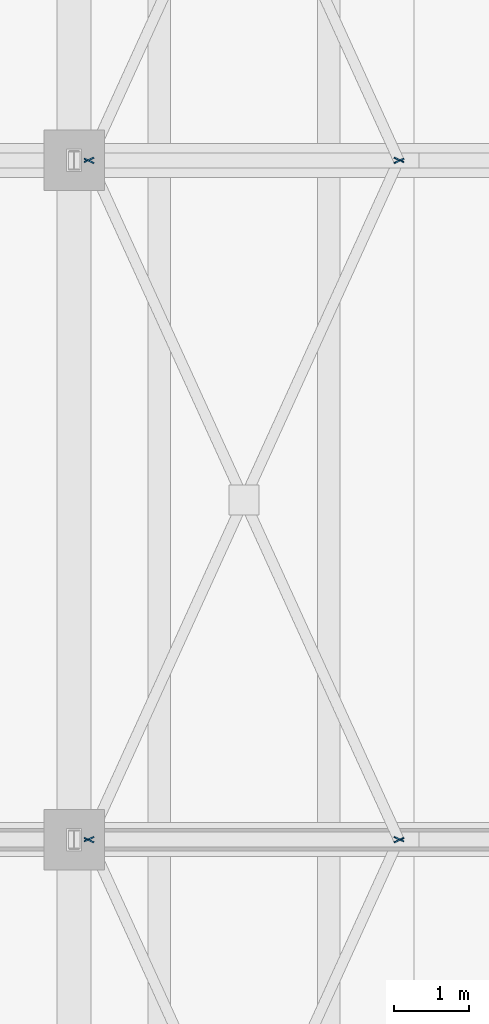
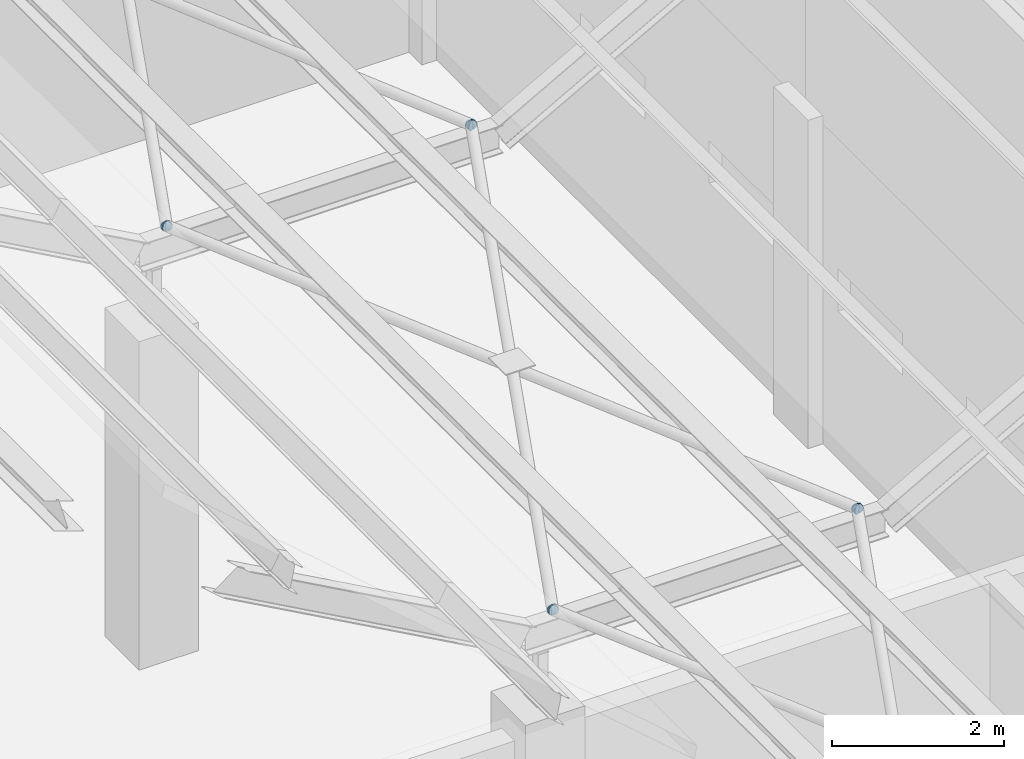
# One storey, part 256 of 437: 8 plates.
"""IFC4 building model written with IfcOpenShell, lengths in metres."""

from ifc_helpers import new_model, si_unit, direction, frame, origin, place, context, subcontext, project, spatial, polyline, outline, extrude, material, layer, layer_set, type_object, element, save


model = new_model("IFC4")

# Units and contexts
model_context = context("Model", 3, precision=1e-05, world=origin(), true_north=direction((0.0, 1.0)))
body_context = subcontext(model_context, "Body", "Model", "MODEL_VIEW")
ifc_project = project(units=[si_unit("LENGTHUNIT", "METRE"), si_unit("AREAUNIT", "SQUARE_METRE"), si_unit("VOLUMEUNIT", "CUBIC_METRE"), si_unit("PLANEANGLEUNIT", "RADIAN"), si_unit("MASSUNIT", "GRAM", prefix="KILO")], contexts=[model_context])

# Site, building, storey
site_placement = place(None, origin())
site = spatial("IfcSite", under=ifc_project, at=site_placement, CompositionType="ELEMENT")
building_placement = place(site_placement, origin())
building = spatial("IfcBuilding", under=site, at=building_placement, Name="Opaline Strait Convention Centre", CompositionType="ELEMENT")
storey_placement = place(building_placement, frame((0.0, 0.0, 11.5)))
storey = spatial("IfcBuildingStorey", under=building, at=storey_placement, Name="L02", CompositionType="ELEMENT", Elevation=11.5)

# Plates
ifc_material = material(Name="Steel Q355B", Category="steel")
ifc_layer = layer(ifc_material, 0.014892578125)
ifc_layer_set = layer_set([ifc_layer], Name="Steel Q355B")
plate_type = type_object("IfcPlateType", Name="Brace end plate 15 Q355B", PredefinedType="SHEET", material=ifc_layer_set)
plate_1_placement = place(storey_placement, frame((76.369873046875, 26.984619140625, 5.8701171875), z_axis=(0.414836562991, 0.909895942406, 0.0), x_axis=(-0.177910529408, 0.08111234384, -0.980698032629)))
element("IfcPlate", 1, at=plate_1_placement, inside=storey, type_object=plate_type, Name="Brace end plate 2-72-1 B", PredefinedType="SHEET", context=body_context, shape_type="SweptSolid", body=[
    extrude(outline(polyline([(0.0, 0.0), (0.027384034490214523, 0.0), (0.05259810373367019, 0.01034279223465002), (0.07188715209514629, 0.02967508543352096), (0.08240902159594816, 0.054979246310342914), (0.08237624613104702, 0.08228448671060286), (0.07195256152583068, 0.1074175665672149), (0.05267641506137637, 0.1268571903509166), (0.027386238814677905, 0.13735920588947814), (0.00024163255508571554, 0.13731146945521194), (-0.025015871876213673, 0.12675082244502134), (-0.04428128786816646, 0.10753706043741668), (-0.054783354550647916, 0.08233222314486904), (-0.05477038190406719, 0.054927659160334784), (-0.04437032966837416, 0.029676048112456443), (-0.025050748016076124, 0.010454279104295326), (0.0, 0.0)])), origin(), (0.0, 0.0, -1.0), 0.014892578125),
])
plate_2_placement = place(storey_placement, frame((72.257568359375, 27.042724609375, 5.8701171875), z_axis=(-0.414836562991, 0.909895942406, 0.0), x_axis=(-0.177910529408, -0.08111234384, -0.980698032629)))
element("IfcPlate", 2, at=plate_2_placement, inside=storey, type_object=plate_type, Name="Brace end plate 2-72-3 B", PredefinedType="SHEET", context=body_context, shape_type="SweptSolid", body=[
    extrude(outline(polyline([(0.0, 0.0), (0.027384034490214523, 0.0), (0.0526415389215139, 0.010560647010190617), (0.0719069549134667, 0.029774409017795267), (0.08240902159594816, 0.054979246310342914), (0.08239604894936743, 0.08238381029487717), (0.07199599671367439, 0.10763542134275551), (0.05267641506137637, 0.1268571903509166), (0.027386238814677905, 0.13735920588947814), (0.00024163255508571554, 0.13731146945521194), (-0.02497243668836996, 0.12696867722056193), (-0.04426148504984605, 0.10763638402169098), (-0.054783354550647916, 0.08233222314486904), (-0.05475057908574677, 0.05502698274460909), (-0.04432689448053045, 0.029893902887997044), (-0.025050748016076124, 0.010454279104295326), (0.0, 0.0)])), origin(), (0.0, 0.0, -1.0), 0.014892578125),
])
plate_3_placement = place(storey_placement, frame((72.263671875, 26.970947265625, 5.8701171875), z_axis=(0.415113120833, 0.909769804353, 0.0), x_axis=(-0.177885602626, 0.081166298666, -0.980698090311)))
element("IfcPlate", 3, at=plate_3_placement, inside=storey, type_object=plate_type, Name="Brace end plate 3-72-1 A", PredefinedType="SHEET", context=body_context, shape_type="SweptSolid", body=[
    extrude(outline(polyline([(0.0, 0.0), (0.027384032879565874, 8.673617379884035e-19), (0.05259810512352661, 0.010342830025946591), (0.07188713763616415, 0.029675078027945424), (0.08240900482074467, 0.0549792678324168), (0.082396029238314, 0.08238385763677121), (0.07195253030535285, 0.10741759014200784), (0.05267637813642449, 0.12685720839116532), (0.02738619718093451, 0.13735920839058052), (0.00024159254607343875, 0.13731147202694682), (-0.02501590880009087, 0.12675081741365854), (-0.044261512210524837, 0.10763639399900138), (-0.054783379395105344, 0.08233220419453002), (-0.054770403812674694, 0.0549276143901756), (-0.044370333981917115, 0.029676057297597293), (-0.02505075271078518, 0.010454263635781492), (0.0, 0.0)])), origin(), (0.0, 0.0, -1.0), 0.014892578125),
])
plate_4_placement = place(storey_placement, frame((76.369873046875, 35.984619140625, 5.8701171875), z_axis=(0.414836562991, 0.909895942406, 0.0), x_axis=(-0.177910529408, 0.08111234384, -0.980698032629)))
element("IfcPlate", 4, at=plate_4_placement, inside=storey, type_object=plate_type, Name="Brace end plate 3-72-1 B", PredefinedType="SHEET", context=body_context, shape_type="SweptSolid", body=[
    extrude(outline(polyline([(0.0, 0.0), (0.027384034490214523, 0.0), (0.05259810373367019, 0.01034279223465002), (0.07188715209514629, 0.02967508543352096), (0.08240902159594816, 0.054979246310342914), (0.08237624613104702, 0.08228448671060286), (0.07195256152583068, 0.1074175665672149), (0.05267641506137637, 0.1268571903509166), (0.027386238814677905, 0.13735920588947814), (0.00024163255508571554, 0.13731146945521194), (-0.025015871876213673, 0.12675082244502134), (-0.04428128786816646, 0.10753706043741668), (-0.054783354550647916, 0.08233222314486904), (-0.05477038190406719, 0.054927659160334784), (-0.04437032966837416, 0.029676048112456443), (-0.025050748016076124, 0.010454279104295326), (0.0, 0.0)])), origin(), (0.0, 0.0, -1.0), 0.014892578125),
])
plate_5_placement = place(storey_placement, frame((76.36376953125, 27.029052734375, 5.8701171875), z_axis=(-0.415113120833, 0.909769804353, 0.0), x_axis=(-0.177885602626, -0.081166298666, -0.980698090311)))
element("IfcPlate", 5, at=plate_5_placement, inside=storey, type_object=plate_type, Name="Brace end plate 3-72-2 A", PredefinedType="SHEET", context=body_context, shape_type="SweptSolid", body=[
    extrude(outline(polyline([(0.0, 0.0), (0.027384032879565874, 8.673617379884035e-19), (0.052641534225730174, 0.010560654613288265), (0.07188713763616415, 0.029675078027945424), (0.08240900482074467, 0.0549792678324168), (0.082396029238314, 0.08238385763677121), (0.07199595940755642, 0.10763541472934952), (0.05267637813642449, 0.12685720839116532), (0.02738619718093451, 0.13735920839058052), (0.00024159254607343875, 0.13731147202694682), (-0.024972479697887306, 0.12696864200100022), (-0.044261512210524837, 0.10763639399900138), (-0.054783379395105344, 0.08233220419453002), (-0.054770403812674694, 0.0549276143901756), (-0.04432690487971355, 0.029893881884938966), (-0.02505075271078518, 0.010454263635781492), (0.0, 0.0)])), origin(), (0.0, 0.0, -1.0), 0.014892578125),
])
plate_6_placement = place(storey_placement, frame((72.257568359375, 36.042724609375, 5.8701171875), z_axis=(-0.414836562991, 0.909895942406, 0.0), x_axis=(-0.177910529408, -0.08111234384, -0.980698032629)))
element("IfcPlate", 6, at=plate_6_placement, inside=storey, type_object=plate_type, Name="Brace end plate 3-72-3 B", PredefinedType="SHEET", context=body_context, shape_type="SweptSolid", body=[
    extrude(outline(polyline([(0.0, 0.0), (0.027384034490214523, 0.0), (0.0526415389215139, 0.010560647010190617), (0.0719069549134667, 0.029774409017795267), (0.08240902159594816, 0.054979246310342914), (0.08239604894936743, 0.08238381029487717), (0.07199599671367439, 0.10763542134275551), (0.05267641506137637, 0.1268571903509166), (0.027386238814677905, 0.13735920588947814), (0.00024163255508571554, 0.13731146945521194), (-0.02497243668836996, 0.12696867722056193), (-0.04426148504984605, 0.10763638402169098), (-0.054783354550647916, 0.08233222314486904), (-0.05475057908574677, 0.05502698274460909), (-0.04432689448053045, 0.029893902887997044), (-0.025050748016076124, 0.010454279104295326), (0.0, 0.0)])), origin(), (0.0, 0.0, -1.0), 0.014892578125),
])
plate_7_placement = place(storey_placement, frame((72.263671875, 35.970947265625, 5.8701171875), z_axis=(0.415113120833, 0.909769804353, 0.0), x_axis=(-0.177885602626, 0.081166298666, -0.980698090311)))
element("IfcPlate", 7, at=plate_7_placement, inside=storey, type_object=plate_type, Name="Brace end plate 4-72-1 A", PredefinedType="SHEET", context=body_context, shape_type="SweptSolid", body=[
    extrude(outline(polyline([(0.0, 0.0), (0.027384032879565874, 8.673617379884035e-19), (0.05259810512352661, 0.010342830025946591), (0.07188713763616415, 0.029675078027945424), (0.08240900482074467, 0.0549792678324168), (0.082396029238314, 0.08238385763677121), (0.07195253030535285, 0.10741759014200784), (0.05267637813642449, 0.12685720839116532), (0.02738619718093451, 0.13735920839058052), (0.00024159254607343875, 0.13731147202694682), (-0.02501590880009087, 0.12675081741365854), (-0.044261512210524837, 0.10763639399900138), (-0.054783379395105344, 0.08233220419453002), (-0.054770403812674694, 0.0549276143901756), (-0.044370333981917115, 0.029676057297597293), (-0.02505075271078518, 0.010454263635781492), (0.0, 0.0)])), origin(), (0.0, 0.0, -1.0), 0.014892578125),
])
plate_8_placement = place(storey_placement, frame((76.36376953125, 36.029052734375, 5.8701171875), z_axis=(-0.415113120833, 0.909769804353, 0.0), x_axis=(-0.177885602626, -0.081166298666, -0.980698090311)))
element("IfcPlate", 8, at=plate_8_placement, inside=storey, type_object=plate_type, Name="Brace end plate 4-72-2 A", PredefinedType="SHEET", context=body_context, shape_type="SweptSolid", body=[
    extrude(outline(polyline([(0.0, 0.0), (0.027384032879565874, 8.673617379884035e-19), (0.052641534225730174, 0.010560654613288265), (0.07188713763616415, 0.029675078027945424), (0.08240900482074467, 0.0549792678324168), (0.082396029238314, 0.08238385763677121), (0.07199595940755642, 0.10763541472934952), (0.05267637813642449, 0.12685720839116532), (0.02738619718093451, 0.13735920839058052), (0.00024159254607343875, 0.13731147202694682), (-0.024972479697887306, 0.12696864200100022), (-0.044261512210524837, 0.10763639399900138), (-0.054783379395105344, 0.08233220419453002), (-0.054770403812674694, 0.0549276143901756), (-0.04432690487971355, 0.029893881884938966), (-0.02505075271078518, 0.010454263635781492), (0.0, 0.0)])), origin(), (0.0, 0.0, -1.0), 0.014892578125),
])

save(model, "model.ifc")
